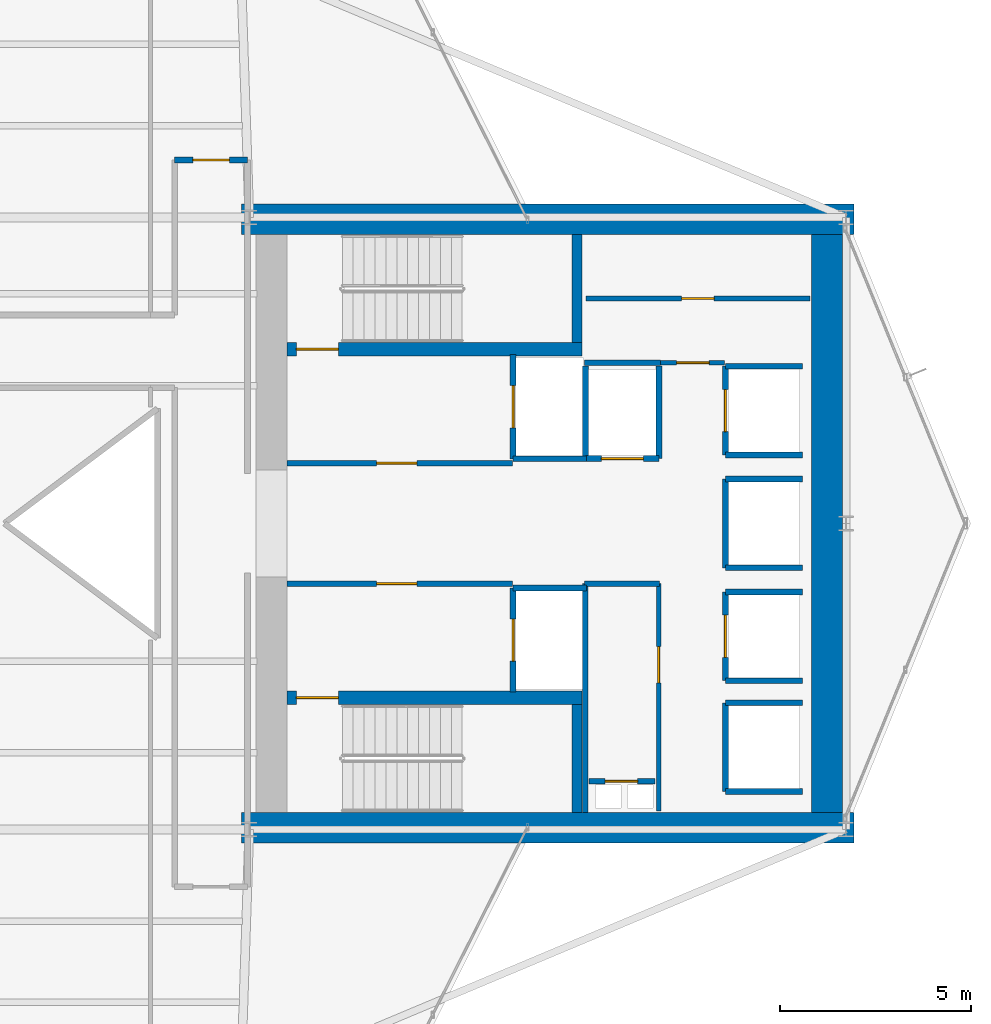
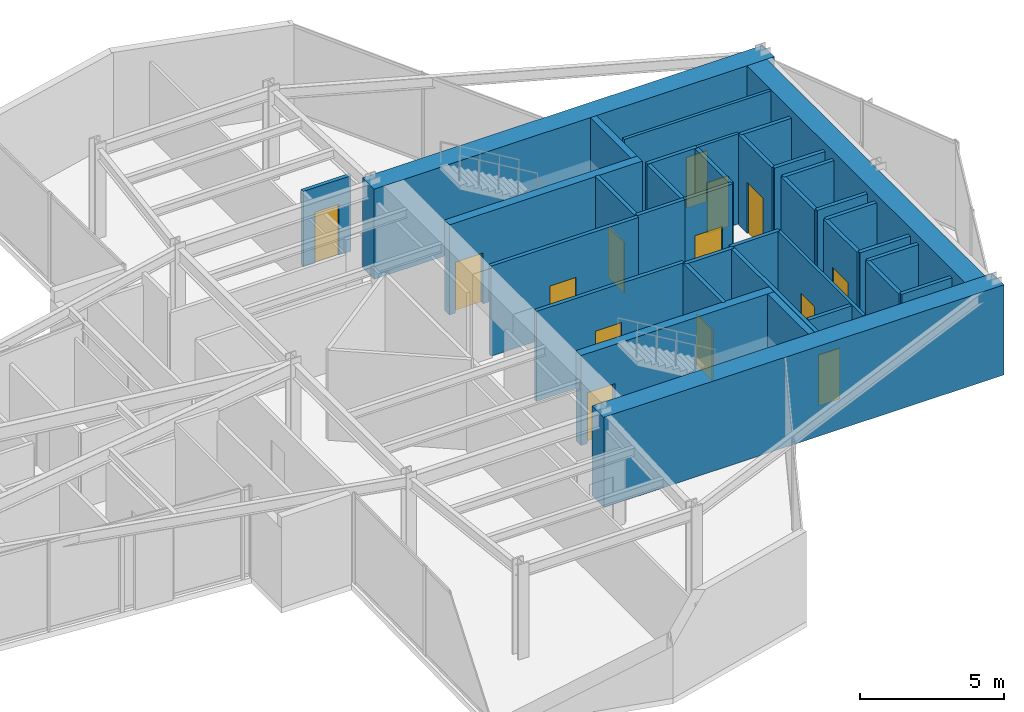
# One storey, part 24 of 26: 36 walls, 14 doors, 14 openings.
"""IFC4 building model written with IfcOpenShell, lengths in metres."""

from ifc_helpers import new_model, si_unit, direction, frame, frame_2d, origin, place, context, subcontext, project, spatial, rectangle, extrude, material, layer, layer_set, type_object, element, fill, save


model = new_model("IFC4")

# Units and contexts
model_context = context("Model", 3, precision=1e-05, world=origin(), true_north=direction((0.0, 1.0)))
body_context = subcontext(model_context, "Body", "Model", "MODEL_VIEW")
ifc_project = project(units=[si_unit("LENGTHUNIT", "METRE"), si_unit("AREAUNIT", "SQUARE_METRE"), si_unit("VOLUMEUNIT", "CUBIC_METRE"), si_unit("PLANEANGLEUNIT", "RADIAN"), si_unit("MASSUNIT", "GRAM", prefix="KILO")], contexts=[model_context])

# Site, building, storey
site_placement = place(None, origin())
site = spatial("IfcSite", under=ifc_project, at=site_placement, CompositionType="ELEMENT")
building_placement = place(site_placement, origin())
building = spatial("IfcBuilding", under=site, at=building_placement, Name="Veymaron Broadcast Tower", CompositionType="ELEMENT")
storey_placement = place(building_placement, frame((0.0, 0.0, 133.050048828125)))
storey = spatial("IfcBuildingStorey", under=building, at=storey_placement, Name="L30", CompositionType="ELEMENT", Elevation=133.050048828125)

# Wall, opening, door
ifc_material_1 = material(Name="Gypsum fireboard and steel stud framing", Category="steel")
ifc_layer_1 = layer(ifc_material_1, 0.14990234375)
ifc_layer_set_1 = layer_set([ifc_layer_1], Name="Gypsum fireboard and steel stud framing")
wall_type_1 = type_object("IfcWallType", Name="WALL-FIRE-150", PredefinedType="PARTITIONING", material=ifc_layer_set_1)
wall_1_placement = place(storey_placement, frame((39.97998046875, 25.574951171875, 0.0), z_axis=(0.0, 0.0, 1.0), x_axis=(1.0, 0.0, 0.0)))
wall_1 = element("IfcWall", 1, at=wall_1_placement, inside=storey, type_object=wall_type_1, Name="L30 partition IW-L30-FFLN-S", PredefinedType="PARTITIONING", context=body_context, shape_type="SweptSolid", body=[
    extrude(rectangle(XDim=5.89990234375, YDim=0.14990234375, at=frame_2d((2.949951171875, 0.0))), origin(), (0.0, 0.0, 1.0), 3.81005859375),
])
opening_1_placement = place(wall_1_placement, frame((2.35009765625, 0.0, 0.0)))
opening_1 = element("IfcOpeningElement", 2, at=opening_1_placement, cuts=wall_1, Name="Opening ID-FL1", PredefinedType="OPENING", context=body_context, shape_type="SweptSolid", body=[
    extrude(rectangle(XDim=1.050048828125, YDim=2.14990234375, at=frame_2d((0.52490234375, 1.074951171875))), frame((0.0, 0.0849609375, 0.0), z_axis=(0.0, -1.0, 0.0), x_axis=(1.0, 0.0, 0.0)), (0.0, 0.0, 1.0), 0.169921875),
])
ifc_material_2 = material(Name="Fire-rated painted hollow steel ASTM A653", Category="steel")
door_type_1 = type_object("IfcDoorType", Name="DOOR-FIRE-1050", OperationType="NOTDEFINED", PredefinedType="DOOR", material=ifc_material_2)
door_1_placement = place(opening_1_placement, origin())
door_1 = element("IfcDoor", 3, at=door_1_placement, inside=storey, type_object=door_type_1, Name="L30 door DR-L30-FFLN", OperationType="SINGLE_SWING_LEFT", OverallHeight=2.14990234375, OverallWidth=1.050048828125, PredefinedType="DOOR", context=body_context, shape_type="SweptSolid", body=[
    extrude(rectangle(XDim=1.050048828125, YDim=2.14990234375, at=frame_2d((0.52490234375, 1.074951171875))), frame((0.0, 0.02490234375, 0.0), z_axis=(0.0, -1.0, 0.0), x_axis=(1.0, 0.0, 0.0)), (0.0, 0.0, 1.0), 0.050048828125),
])
fill(opening_1, door_1)

wall_2_placement = place(storey_placement, frame((39.97998046875, 22.425048828125, 0.0), z_axis=(0.0, 0.0, 1.0), x_axis=(1.0, 0.0, 0.0)))
wall_2 = element("IfcWall", 4, at=wall_2_placement, inside=storey, type_object=wall_type_1, Name="L30 partition IW-L30-FFLS-N", PredefinedType="PARTITIONING", context=body_context, shape_type="SweptSolid", body=[
    extrude(rectangle(XDim=5.89990234375, YDim=0.14990234375, at=frame_2d((2.949951171875, 0.0))), origin(), (0.0, 0.0, 1.0), 3.81005859375),
])
opening_2_placement = place(wall_2_placement, frame((2.35009765625, 0.0, 0.0)))
opening_2 = element("IfcOpeningElement", 5, at=opening_2_placement, cuts=wall_2, Name="Opening ID-FL1", PredefinedType="OPENING", context=body_context, shape_type="SweptSolid", body=[
    extrude(rectangle(XDim=1.050048828125, YDim=2.14990234375, at=frame_2d((0.52490234375, 1.074951171875))), frame((0.0, 0.0849609375, 0.0), z_axis=(0.0, -1.0, 0.0), x_axis=(1.0, 0.0, 0.0)), (0.0, 0.0, 1.0), 0.169921875),
])
door_2_placement = place(opening_2_placement, frame((1.050048828125, 0.0, 0.0), z_axis=(0.0, 0.0, 1.0), x_axis=(-1.0, 0.0, 0.0)))
door_2 = element("IfcDoor", 6, at=door_2_placement, inside=storey, type_object=door_type_1, Name="L30 door DR-L30-FFLS", OperationType="SINGLE_SWING_RIGHT", OverallHeight=2.14990234375, OverallWidth=1.050048828125, PredefinedType="DOOR", context=body_context, shape_type="SweptSolid", body=[
    extrude(rectangle(XDim=1.050048828125, YDim=2.14990234375, at=frame_2d((0.52490234375, 1.074951171875))), frame((0.0, 0.02490234375, 0.0), z_axis=(0.0, -1.0, 0.0), x_axis=(1.0, 0.0, 0.0)), (0.0, 0.0, 1.0), 0.050048828125),
])
fill(opening_2, door_2)

wall_3_placement = place(storey_placement, frame((45.89501953125, 25.68994140625, 0.0), z_axis=(0.0, 0.0, 1.0), x_axis=(0.0, 1.0, 0.0)))
wall_3 = element("IfcWall", 7, at=wall_3_placement, inside=storey, type_object=wall_type_1, Name="L30 partition IW-L30-SHW-FFL-1", PredefinedType="PARTITIONING", context=body_context, shape_type="SweptSolid", body=[
    extrude(rectangle(XDim=2.719970703125, YDim=0.14990234375, at=frame_2d((1.35986328125, 0.0))), origin(), (0.0, 0.0, 1.0), 3.81005859375),
])
opening_3_placement = place(wall_3_placement, frame((0.81005859375, 0.0, 0.0)))
opening_3 = element("IfcOpeningElement", 8, at=opening_3_placement, cuts=wall_3, Name="Opening LD", PredefinedType="OPENING", context=body_context, shape_type="SweptSolid", body=[
    extrude(rectangle(XDim=1.10009765625, YDim=2.14990234375, at=frame_2d((0.550048828125, 1.074951171875))), frame((0.0, 0.0849609375, 0.0), z_axis=(0.0, -1.0, 0.0), x_axis=(1.0, 0.0, 0.0)), (0.0, 0.0, 1.0), 0.169921875),
])
ifc_material_3 = material(Name="Brushed stainless steel AISI 304", Category="steel")
door_type_2 = type_object("IfcDoorType", Name="DOOR-LIFT-1100", OperationType="DOUBLE_DOOR_SLIDING", PredefinedType="DOOR", material=ifc_material_3)
door_3_placement = place(opening_3_placement, frame((1.10009765625, 0.0, 0.0), z_axis=(0.0, 0.0, 1.0), x_axis=(-1.0, 0.0, 0.0)))
door_3 = element("IfcDoor", 9, at=door_3_placement, inside=storey, type_object=door_type_2, Name="L30 door LD-L30-FFL-1", OperationType="DOUBLE_DOOR_SLIDING", OverallHeight=2.14990234375, OverallWidth=1.10009765625, PredefinedType="DOOR", context=body_context, shape_type="SweptSolid", body=[
    extrude(rectangle(XDim=1.10009765625, YDim=2.14990234375, at=frame_2d((0.550048828125, 1.074951171875))), frame((0.0, 0.02490234375, 0.0), z_axis=(0.0, -1.0, 0.0), x_axis=(1.0, 0.0, 0.0)), (0.0, 0.0, 1.0), 0.050048828125),
])
fill(opening_3, door_3)

# Wall
wall_4_placement = place(storey_placement, frame((45.89501953125, 25.68994140625, 0.0), z_axis=(0.0, 0.0, 1.0), x_axis=(1.0, 0.0, 0.0)))
element("IfcWall", 10, at=wall_4_placement, inside=storey, type_object=wall_type_1, Name="L30 partition IW-L30-SHS-FFL-1", PredefinedType="PARTITIONING", context=body_context, shape_type="SweptSolid", body=[
    extrude(rectangle(XDim=1.9150390625, YDim=0.14990234375, at=frame_2d((0.95751953125, 0.0))), origin(), (0.0, 0.0, 1.0), 3.81005859375),
])

# Wall, opening, door
wall_5_placement = place(storey_placement, frame((45.89501953125, 19.590087890625, 0.0), z_axis=(0.0, 0.0, 1.0), x_axis=(0.0, 1.0, 0.0)))
wall_5 = element("IfcWall", 11, at=wall_5_placement, inside=storey, type_object=wall_type_1, Name="L30 partition IW-L30-SHW-FFL-2", PredefinedType="PARTITIONING", context=body_context, shape_type="SweptSolid", body=[
    extrude(rectangle(XDim=2.719970703125, YDim=0.14990234375, at=frame_2d((1.35986328125, 0.0))), origin(), (0.0, 0.0, 1.0), 3.81005859375),
])
opening_4_placement = place(wall_5_placement, frame((0.81005859375, 0.0, 0.0)))
opening_4 = element("IfcOpeningElement", 12, at=opening_4_placement, cuts=wall_5, Name="Opening LD", PredefinedType="OPENING", context=body_context, shape_type="SweptSolid", body=[
    extrude(rectangle(XDim=1.10009765625, YDim=2.14990234375, at=frame_2d((0.550048828125, 1.074951171875))), frame((0.0, 0.0849609375, 0.0), z_axis=(0.0, -1.0, 0.0), x_axis=(1.0, 0.0, 0.0)), (0.0, 0.0, 1.0), 0.169921875),
])
door_4_placement = place(opening_4_placement, frame((1.10009765625, 0.0, 0.0), z_axis=(0.0, 0.0, 1.0), x_axis=(-1.0, 0.0, 0.0)))
door_4 = element("IfcDoor", 13, at=door_4_placement, inside=storey, type_object=door_type_2, Name="L30 door LD-L30-FFL-2", OperationType="DOUBLE_DOOR_SLIDING", OverallHeight=2.14990234375, OverallWidth=1.10009765625, PredefinedType="DOOR", context=body_context, shape_type="SweptSolid", body=[
    extrude(rectangle(XDim=1.10009765625, YDim=2.14990234375, at=frame_2d((0.550048828125, 1.074951171875))), frame((0.0, 0.02490234375, 0.0), z_axis=(0.0, -1.0, 0.0), x_axis=(1.0, 0.0, 0.0)), (0.0, 0.0, 1.0), 0.050048828125),
])
fill(opening_4, door_4)

# Wall
wall_6_placement = place(storey_placement, frame((45.89501953125, 22.31005859375, 0.0), z_axis=(0.0, 0.0, 1.0), x_axis=(1.0, 0.0, 0.0)))
element("IfcWall", 14, at=wall_6_placement, inside=storey, type_object=wall_type_1, Name="L30 partition IW-L30-SHN-FFL-2", PredefinedType="PARTITIONING", context=body_context, shape_type="SweptSolid", body=[
    extrude(rectangle(XDim=1.9150390625, YDim=0.14990234375, at=frame_2d((0.95751953125, 0.0))), origin(), (0.0, 0.0, 1.0), 3.81005859375),
])

# Wall, opening, door
wall_7_placement = place(storey_placement, frame((47.7900390625, 25.695068359375, 0.0), z_axis=(0.0, 0.0, 1.0), x_axis=(1.0, 0.0, 0.0)))
wall_7 = element("IfcWall", 15, at=wall_7_placement, inside=storey, type_object=wall_type_1, Name="L30 partition IW-L30-SHS-SL-1", PredefinedType="PARTITIONING", context=body_context, shape_type="SweptSolid", body=[
    extrude(rectangle(XDim=1.919921875, YDim=0.14990234375, at=frame_2d((0.9599609375, 0.0))), origin(), (0.0, 0.0, 1.0), 3.81005859375),
])
opening_5_placement = place(wall_7_placement, frame((0.409912109375, 0.0, 0.0)))
opening_5 = element("IfcOpeningElement", 16, at=opening_5_placement, cuts=wall_7, Name="Opening LD", PredefinedType="OPENING", context=body_context, shape_type="SweptSolid", body=[
    extrude(rectangle(XDim=1.10009765625, YDim=2.14990234375, at=frame_2d((0.550048828125, 1.074951171875))), frame((0.0, 0.0849609375, 0.0), z_axis=(0.0, -1.0, 0.0), x_axis=(1.0, 0.0, 0.0)), (0.0, 0.0, 1.0), 0.169921875),
])
door_5_placement = place(opening_5_placement, frame((1.10009765625, 0.0, 0.0), z_axis=(0.0, 0.0, 1.0), x_axis=(-1.0, 0.0, 0.0)))
door_5 = element("IfcDoor", 17, at=door_5_placement, inside=storey, type_object=door_type_2, Name="L30 door LD-L30-SL-1", OperationType="DOUBLE_DOOR_SLIDING", OverallHeight=2.14990234375, OverallWidth=1.10009765625, PredefinedType="DOOR", context=body_context, shape_type="SweptSolid", body=[
    extrude(rectangle(XDim=1.10009765625, YDim=2.14990234375, at=frame_2d((0.550048828125, 1.074951171875))), frame((0.0, 0.02490234375, 0.0), z_axis=(0.0, -1.0, 0.0), x_axis=(1.0, 0.0, 0.0)), (0.0, 0.0, 1.0), 0.050048828125),
])
fill(opening_5, door_5)

# Walls
for number, where, z_axis, x_axis, name in (
    (18, (47.7900390625, 25.695068359375, 0.0), (0.0, 0.0, 1.0), (0.0, 1.0, 0.0), "L30 partition IW-L30-SHW-SL-1"),
    (19, (49.7099609375, 25.695068359375, 0.0), (0.0, 0.0, 1.0), (0.0, 1.0, 0.0), "L30 partition IW-L30-SHE-SL-1"),
):
    element("IfcWall", number, at=place(storey_placement, frame(where, z_axis=z_axis, x_axis=x_axis)), inside=storey, type_object=wall_type_1, Name=name, PredefinedType="PARTITIONING", context=body_context, shape_type="SweptSolid", body=[
        extrude(rectangle(XDim=2.4150390625, YDim=0.14990234375, at=frame_2d((1.20751953125, 0.0))), origin(), (0.0, 0.0, 1.0), 3.81005859375),
    ])

# Wall, opening, door
wall_8_placement = place(storey_placement, frame((51.445068359375, 25.7900390625, 0.0), z_axis=(0.0, 0.0, 1.0), x_axis=(0.0, 1.0, 0.0)))
wall_8 = element("IfcWall", 20, at=wall_8_placement, inside=storey, type_object=wall_type_1, Name="L30 partition IW-L30-SHW-PM1", PredefinedType="PARTITIONING", context=body_context, shape_type="SweptSolid", body=[
    extrude(rectangle(XDim=2.320068359375, YDim=0.14990234375, at=frame_2d((1.16015625, 0.0))), origin(), (0.0, 0.0, 1.0), 3.81005859375),
])
opening_6_placement = place(wall_8_placement, frame((0.610107421875, 0.0, 0.0)))
opening_6 = element("IfcOpeningElement", 21, at=opening_6_placement, cuts=wall_8, Name="Opening LD", PredefinedType="OPENING", context=body_context, shape_type="SweptSolid", body=[
    extrude(rectangle(XDim=1.10009765625, YDim=2.14990234375, at=frame_2d((0.550048828125, 1.074951171875))), frame((0.0, 0.0849609375, 0.0), z_axis=(0.0, -1.0, 0.0), x_axis=(1.0, 0.0, 0.0)), (0.0, 0.0, 1.0), 0.169921875),
])
door_6_placement = place(opening_6_placement, frame((1.10009765625, 0.0, 0.0), z_axis=(0.0, 0.0, 1.0), x_axis=(-1.0, 0.0, 0.0)))
door_6 = element("IfcDoor", 22, at=door_6_placement, inside=storey, type_object=door_type_2, Name="L30 door LD-L30-PM1", OperationType="DOUBLE_DOOR_SLIDING", OverallHeight=2.14990234375, OverallWidth=1.10009765625, PredefinedType="DOOR", context=body_context, shape_type="SweptSolid", body=[
    extrude(rectangle(XDim=1.10009765625, YDim=2.14990234375, at=frame_2d((0.550048828125, 1.074951171875))), frame((0.0, 0.02490234375, 0.0), z_axis=(0.0, -1.0, 0.0), x_axis=(1.0, 0.0, 0.0)), (0.0, 0.0, 1.0), 0.050048828125),
])
fill(opening_6, door_6)

# Walls
for number, where, z_axis, x_axis, name in (
    (23, (51.445068359375, 25.7900390625, 0.0), (0.0, 0.0, 1.0), (1.0, 0.0, 0.0), "L30 partition IW-L30-SHS-PM1"),
    (24, (51.445068359375, 28.110107421875, 0.0), (0.0, 0.0, 1.0), (1.0, 0.0, 0.0), "L30 partition IW-L30-SHN-PM1"),
):
    element("IfcWall", number, at=place(storey_placement, frame(where, z_axis=z_axis, x_axis=x_axis)), inside=storey, type_object=wall_type_1, Name=name, PredefinedType="PARTITIONING", context=body_context, shape_type="SweptSolid", body=[
        extrude(rectangle(XDim=2.014892578125, YDim=0.14990234375, at=frame_2d((1.00732421875, 0.0))), origin(), (0.0, 0.0, 1.0), 3.81005859375),
    ])

# Wall, opening, door
wall_9_placement = place(storey_placement, frame((51.445068359375, 19.889892578125, 0.0), z_axis=(0.0, 0.0, 1.0), x_axis=(0.0, 1.0, 0.0)))
wall_9 = element("IfcWall", 25, at=wall_9_placement, inside=storey, type_object=wall_type_1, Name="L30 partition IW-L30-SHW-PM2", PredefinedType="PARTITIONING", context=body_context, shape_type="SweptSolid", body=[
    extrude(rectangle(XDim=2.320068359375, YDim=0.14990234375, at=frame_2d((1.16015625, 0.0))), origin(), (0.0, 0.0, 1.0), 3.81005859375),
])
opening_7_placement = place(wall_9_placement, frame((0.610107421875, 0.0, 0.0)))
opening_7 = element("IfcOpeningElement", 26, at=opening_7_placement, cuts=wall_9, Name="Opening LD", PredefinedType="OPENING", context=body_context, shape_type="SweptSolid", body=[
    extrude(rectangle(XDim=1.10009765625, YDim=2.14990234375, at=frame_2d((0.550048828125, 1.074951171875))), frame((0.0, 0.0849609375, 0.0), z_axis=(0.0, -1.0, 0.0), x_axis=(1.0, 0.0, 0.0)), (0.0, 0.0, 1.0), 0.169921875),
])
door_7_placement = place(opening_7_placement, frame((1.10009765625, 0.0, 0.0), z_axis=(0.0, 0.0, 1.0), x_axis=(-1.0, 0.0, 0.0)))
door_7 = element("IfcDoor", 27, at=door_7_placement, inside=storey, type_object=door_type_2, Name="L30 door LD-L30-PM2", OperationType="DOUBLE_DOOR_SLIDING", OverallHeight=2.14990234375, OverallWidth=1.10009765625, PredefinedType="DOOR", context=body_context, shape_type="SweptSolid", body=[
    extrude(rectangle(XDim=1.10009765625, YDim=2.14990234375, at=frame_2d((0.550048828125, 1.074951171875))), frame((0.0, 0.02490234375, 0.0), z_axis=(0.0, -1.0, 0.0), x_axis=(1.0, 0.0, 0.0)), (0.0, 0.0, 1.0), 0.050048828125),
])
fill(opening_7, door_7)

# Walls
for number, where, z_axis, x_axis, name in (
    (28, (51.445068359375, 19.889892578125, 0.0), (0.0, 0.0, 1.0), (1.0, 0.0, 0.0), "L30 partition IW-L30-SHS-PM2"),
    (29, (51.445068359375, 22.2099609375, 0.0), (0.0, 0.0, 1.0), (1.0, 0.0, 0.0), "L30 partition IW-L30-SHN-PM2"),
):
    element("IfcWall", number, at=place(storey_placement, frame(where, z_axis=z_axis, x_axis=x_axis)), inside=storey, type_object=wall_type_1, Name=name, PredefinedType="PARTITIONING", context=body_context, shape_type="SweptSolid", body=[
        extrude(rectangle(XDim=2.014892578125, YDim=0.14990234375, at=frame_2d((1.00732421875, 0.0))), origin(), (0.0, 0.0, 1.0), 3.81005859375),
    ])
wall_10_placement = place(storey_placement, frame((51.445068359375, 22.840087890625, 0.0), z_axis=(0.0, 0.0, 1.0), x_axis=(0.0, 1.0, 0.0)))
element("IfcWall", 30, at=wall_10_placement, inside=storey, type_object=wall_type_1, Name="L30 partition IW-L30-SHW-PM3", PredefinedType="PARTITIONING", context=body_context, shape_type="SweptSolid", body=[
    extrude(rectangle(XDim=2.31982421875, YDim=0.14990234375, at=frame_2d((1.159912109375, 0.0))), origin(), (0.0, 0.0, 1.0), 3.81005859375),
])
for number, where, z_axis, x_axis, name in (
    (31, (51.445068359375, 22.840087890625, 0.0), (0.0, 0.0, 1.0), (1.0, 0.0, 0.0), "L30 partition IW-L30-SHS-PM3"),
    (32, (51.445068359375, 25.159912109375, 0.0), (0.0, 0.0, 1.0), (1.0, 0.0, 0.0), "L30 partition IW-L30-SHN-PM3"),
):
    element("IfcWall", number, at=place(storey_placement, frame(where, z_axis=z_axis, x_axis=x_axis)), inside=storey, type_object=wall_type_1, Name=name, PredefinedType="PARTITIONING", context=body_context, shape_type="SweptSolid", body=[
        extrude(rectangle(XDim=2.014892578125, YDim=0.14990234375, at=frame_2d((1.00732421875, 0.0))), origin(), (0.0, 0.0, 1.0), 3.81005859375),
    ])
wall_11_placement = place(storey_placement, frame((51.445068359375, 16.989990234375, 0.0), z_axis=(0.0, 0.0, 1.0), x_axis=(0.0, 1.0, 0.0)))
element("IfcWall", 33, at=wall_11_placement, inside=storey, type_object=wall_type_1, Name="L30 partition IW-L30-SHW-PH1", PredefinedType="PARTITIONING", context=body_context, shape_type="SweptSolid", body=[
    extrude(rectangle(XDim=2.320068359375, YDim=0.14990234375, at=frame_2d((1.16015625, 0.0))), origin(), (0.0, 0.0, 1.0), 3.81005859375),
])
for number, where, z_axis, x_axis, name in (
    (34, (51.445068359375, 16.989990234375, 0.0), (0.0, 0.0, 1.0), (1.0, 0.0, 0.0), "L30 partition IW-L30-SHS-PH1"),
    (35, (51.445068359375, 19.31005859375, 0.0), (0.0, 0.0, 1.0), (1.0, 0.0, 0.0), "L30 partition IW-L30-SHN-PH1"),
):
    element("IfcWall", number, at=place(storey_placement, frame(where, z_axis=z_axis, x_axis=x_axis)), inside=storey, type_object=wall_type_1, Name=name, PredefinedType="PARTITIONING", context=body_context, shape_type="SweptSolid", body=[
        extrude(rectangle(XDim=2.014892578125, YDim=0.14990234375, at=frame_2d((1.00732421875, 0.0))), origin(), (0.0, 0.0, 1.0), 3.81005859375),
    ])

# Wall, opening, door
wall_12_placement = place(storey_placement, frame((47.8798828125, 17.260009765625, 0.0), z_axis=(0.0, 0.0, 1.0), x_axis=(1.0, 0.0, 0.0)))
wall_12 = element("IfcWall", 36, at=wall_12_placement, inside=storey, type_object=wall_type_1, Name="L30 partition IW-L30-RIS-N", PredefinedType="PARTITIONING", context=body_context, shape_type="SweptSolid", body=[
    extrude(rectangle(XDim=1.72021484375, YDim=0.14990234375, at=frame_2d((0.860107421875, 0.0))), origin(), (0.0, 0.0, 1.0), 3.81005859375),
])
opening_8_placement = place(wall_12_placement, frame((0.419921875, 0.0, 0.0)))
opening_8 = element("IfcOpeningElement", 37, at=opening_8_placement, cuts=wall_12, Name="Opening ID-RS1", PredefinedType="OPENING", context=body_context, shape_type="SweptSolid", body=[
    extrude(rectangle(XDim=0.85009765625, YDim=2.14990234375, at=frame_2d((0.425048828125, 1.074951171875))), frame((0.0, 0.0849609375, 0.0), z_axis=(0.0, -1.0, 0.0), x_axis=(1.0, 0.0, 0.0)), (0.0, 0.0, 1.0), 0.169921875),
])
ifc_material_4 = material(Name="Fire-rated powder-coated steel riser leaf", Category="steel")
door_type_3 = type_object("IfcDoorType", Name="DOOR-RIS-850", OperationType="NOTDEFINED", PredefinedType="TRAPDOOR", material=ifc_material_4)
door_8_placement = place(opening_8_placement, origin())
door_8 = element("IfcDoor", 38, at=door_8_placement, inside=storey, type_object=door_type_3, Name="L30 door DR-L30-RIS", OperationType="SINGLE_SWING_LEFT", OverallHeight=2.14990234375, OverallWidth=0.85009765625, PredefinedType="TRAPDOOR", context=body_context, shape_type="SweptSolid", body=[
    extrude(rectangle(XDim=0.85009765625, YDim=2.14990234375, at=frame_2d((0.425048828125, 1.074951171875))), frame((0.0, 0.02490234375, 0.0), z_axis=(0.0, -1.0, 0.0), x_axis=(1.0, 0.0, 0.0)), (0.0, 0.0, 1.0), 0.050048828125),
])
fill(opening_8, door_8)

# Walls
wall_13_placement = place(storey_placement, frame((47.760009765625, 22.425048828125, 0.0), z_axis=(0.0, 0.0, 1.0), x_axis=(1.0, 0.0, 0.0)))
element("IfcWall", 39, at=wall_13_placement, inside=storey, type_object=wall_type_1, Name="L30 partition IW-L30-SM-N", PredefinedType="PARTITIONING", context=body_context, shape_type="SweptSolid", body=[
    extrude(rectangle(XDim=1.9599609375, YDim=0.14990234375, at=frame_2d((0.97998046875, 0.0))), origin(), (0.0, 0.0, 1.0), 3.81005859375),
])
wall_14_placement = place(storey_placement, frame((47.780029296875, 16.449951171875, 0.0), z_axis=(0.0, 0.0, 1.0), x_axis=(0.0, 1.0, 0.0)))
element("IfcWall", 40, at=wall_14_placement, inside=storey, type_object=wall_type_1, Name="L30 partition IW-L30-SM-W", PredefinedType="PARTITIONING", context=body_context, shape_type="SweptSolid", body=[
    extrude(rectangle(XDim=5.97509765625, YDim=0.14990234375, at=frame_2d((2.987548828125, 0.0))), origin(), (0.0, 0.0, 1.0), 3.81005859375),
])
wall_15_placement = place(storey_placement, frame((47.760009765625, 28.199951171875, 0.0), z_axis=(0.0, 0.0, 1.0), x_axis=(1.0, 0.0, 0.0)))
element("IfcWall", 41, at=wall_15_placement, inside=storey, type_object=wall_type_1, Name="L30 partition IW-L30-F1-SW", PredefinedType="PARTITIONING", context=body_context, shape_type="SweptSolid", body=[
    extrude(rectangle(XDim=1.989990234375, YDim=0.14990234375, at=frame_2d((0.9951171875, 0.0))), origin(), (0.0, 0.0, 1.0), 3.81005859375),
])

# Wall, opening, door
wall_16_placement = place(storey_placement, frame((37.050048828125, 33.5, 0.0), z_axis=(0.0, 0.0, 1.0), x_axis=(1.0, 0.0, 0.0)))
wall_16 = element("IfcWall", 42, at=wall_16_placement, inside=storey, type_object=wall_type_1, Name="L30 partition IW-L30-P30", PredefinedType="PARTITIONING", context=body_context, shape_type="SweptSolid", body=[
    extrude(rectangle(XDim=1.89990234375, YDim=0.14990234375, at=frame_2d((0.949951171875, 0.0))), origin(), (0.0, 0.0, 1.0), 3.18994140625),
])
opening_9_placement = place(wall_16_placement, frame((0.47509765625, 0.0, 0.0)))
opening_9 = element("IfcOpeningElement", 43, at=opening_9_placement, cuts=wall_16, Name="Opening ID-RM1", PredefinedType="OPENING", context=body_context, shape_type="SweptSolid", body=[
    extrude(rectangle(XDim=0.949951171875, YDim=2.14990234375, at=frame_2d((0.47509765625, 1.074951171875))), frame((0.0, 0.0849609375, 0.0), z_axis=(0.0, -1.0, 0.0), x_axis=(1.0, 0.0, 0.0)), (0.0, 0.0, 1.0), 0.169921875),
])
ifc_material_5 = material(Name="Acoustic solid-core European oak veneer timber", Category="wood")
door_type_4 = type_object("IfcDoorType", Name="DOOR-INT-950", OperationType="NOTDEFINED", PredefinedType="DOOR", material=ifc_material_5)
door_9_placement = place(opening_9_placement, origin())
door_9 = element("IfcDoor", 44, at=door_9_placement, inside=storey, type_object=door_type_4, Name="L30 door DR-L30-P30", OperationType="SINGLE_SWING_LEFT", OverallHeight=2.14990234375, OverallWidth=0.949951171875, PredefinedType="DOOR", context=body_context, shape_type="SweptSolid", body=[
    extrude(rectangle(XDim=0.949951171875, YDim=2.14990234375, at=frame_2d((0.47509765625, 1.074951171875))), frame((0.0, 0.02490234375, 0.0), z_axis=(0.0, -1.0, 0.0), x_axis=(1.0, 0.0, 0.0)), (0.0, 0.0, 1.0), 0.050048828125),
])
fill(opening_9, door_9)

ifc_material_6 = material(Name="Acoustic gypsum board and galvanized stud", Category="gypsum")
ifc_layer_2 = layer(ifc_material_6, 0.1201171875)
ifc_layer_set_2 = layer_set([ifc_layer_2], Name="Acoustic gypsum board and galvanized stud")
wall_type_2 = type_object("IfcWallType", Name="WALL-PART-120", PredefinedType="PARTITIONING", material=ifc_layer_set_2)
wall_17_placement = place(storey_placement, frame((49.699951171875, 16.47998046875, 0.0), z_axis=(0.0, 0.0, 1.0), x_axis=(0.0, 1.0, 0.0)))
wall_17 = element("IfcWall", 45, at=wall_17_placement, inside=storey, type_object=wall_type_2, Name="L30 partition IW-L30-SM-E", PredefinedType="PARTITIONING", context=body_context, shape_type="SweptSolid", body=[
    extrude(rectangle(XDim=5.945068359375, YDim=0.1201171875, at=frame_2d((2.97265625, 0.0))), origin(), (0.0, 0.0, 1.0), 3.81005859375),
])
opening_10_placement = place(wall_17_placement, frame((3.35009765625, 0.0, 0.0)))
opening_10 = element("IfcOpeningElement", 46, at=opening_10_placement, cuts=wall_17, Name="Opening ID-RM1", PredefinedType="OPENING", context=body_context, shape_type="SweptSolid", body=[
    extrude(rectangle(XDim=0.949951171875, YDim=2.14990234375, at=frame_2d((0.47509765625, 1.074951171875))), frame((0.0, 0.070068359375, 0.0), z_axis=(0.0, -1.0, 0.0), x_axis=(1.0, 0.0, 0.0)), (0.0, 0.0, 1.0), 0.14013671875),
])
door_10_placement = place(opening_10_placement, frame((0.949951171875, 0.0, 0.0), z_axis=(0.0, 0.0, 1.0), x_axis=(-1.0, 0.0, 0.0)))
door_10 = element("IfcDoor", 47, at=door_10_placement, inside=storey, type_object=door_type_4, Name="L30 door DR-L30-AWC", OperationType="SINGLE_SWING_LEFT", OverallHeight=2.14990234375, OverallWidth=0.949951171875, PredefinedType="DOOR", context=body_context, shape_type="SweptSolid", body=[
    extrude(rectangle(XDim=0.949951171875, YDim=2.14990234375, at=frame_2d((0.47509765625, 1.074951171875))), frame((0.0, 0.02490234375, 0.0), z_axis=(0.0, -1.0, 0.0), x_axis=(1.0, 0.0, 0.0)), (0.0, 0.0, 1.0), 0.050048828125),
])
fill(opening_10, door_10)

wall_18_placement = place(storey_placement, frame((49.75, 28.199951171875, 0.0), z_axis=(0.0, 0.0, 1.0), x_axis=(1.0, 0.0, 0.0)))
wall_18 = element("IfcWall", 48, at=wall_18_placement, inside=storey, type_object=wall_type_2, Name="L30 partition IW-L30-F1-S", PredefinedType="PARTITIONING", context=body_context, shape_type="SweptSolid", body=[
    extrude(rectangle(XDim=1.669921875, YDim=0.1201171875, at=frame_2d((0.8349609375, 0.0))), origin(), (0.0, 0.0, 1.0), 3.81005859375),
])
opening_11_placement = place(wall_18_placement, frame((0.419921875, 0.0, 0.0)))
opening_11 = element("IfcOpeningElement", 49, at=opening_11_placement, cuts=wall_18, Name="Opening ID-WC1", PredefinedType="OPENING", context=body_context, shape_type="SweptSolid", body=[
    extrude(rectangle(XDim=0.85009765625, YDim=2.14990234375, at=frame_2d((0.425048828125, 1.074951171875))), frame((0.0, 0.070068359375, 0.0), z_axis=(0.0, -1.0, 0.0), x_axis=(1.0, 0.0, 0.0)), (0.0, 0.0, 1.0), 0.14013671875),
])
ifc_material_7 = material(Name="Moisture-resistant high-pressure laminate timber", Category="wood")
door_type_5 = type_object("IfcDoorType", Name="DOOR-INT-850", OperationType="NOTDEFINED", PredefinedType="DOOR", material=ifc_material_7)
door_11_placement = place(opening_11_placement, origin())
door_11 = element("IfcDoor", 50, at=door_11_placement, inside=storey, type_object=door_type_5, Name="L30 door DR-L30-F1A", OperationType="SINGLE_SWING_LEFT", OverallHeight=2.14990234375, OverallWidth=0.85009765625, PredefinedType="DOOR", context=body_context, shape_type="SweptSolid", body=[
    extrude(rectangle(XDim=0.85009765625, YDim=2.14990234375, at=frame_2d((0.425048828125, 1.074951171875))), frame((0.0, 0.02490234375, 0.0), z_axis=(0.0, -1.0, 0.0), x_axis=(1.0, 0.0, 0.0)), (0.0, 0.0, 1.0), 0.050048828125),
])
fill(opening_11, door_11)

wall_19_placement = place(storey_placement, frame((47.800048828125, 29.8798828125, 0.0), z_axis=(0.0, 0.0, 1.0), x_axis=(1.0, 0.0, 0.0)))
wall_19 = element("IfcWall", 51, at=wall_19_placement, inside=storey, type_object=wall_type_2, Name="L30 partition IW-L30-F1-MY", PredefinedType="PARTITIONING", context=body_context, shape_type="SweptSolid", body=[
    extrude(rectangle(XDim=5.85986328125, YDim=0.1201171875, at=frame_2d((2.929931640625, 0.0))), origin(), (0.0, 0.0, 1.0), 3.81005859375),
])
opening_12_placement = place(wall_19_placement, frame((2.5, 0.0, 0.0)))
opening_12 = element("IfcOpeningElement", 52, at=opening_12_placement, cuts=wall_19, Name="Opening ID-WC1", PredefinedType="OPENING", context=body_context, shape_type="SweptSolid", body=[
    extrude(rectangle(XDim=0.85009765625, YDim=2.14990234375, at=frame_2d((0.425048828125, 1.074951171875))), frame((0.0, 0.070068359375, 0.0), z_axis=(0.0, -1.0, 0.0), x_axis=(1.0, 0.0, 0.0)), (0.0, 0.0, 1.0), 0.14013671875),
])
door_12_placement = place(opening_12_placement, origin())
door_12 = element("IfcDoor", 53, at=door_12_placement, inside=storey, type_object=door_type_5, Name="L30 door DR-L30-F1B", OperationType="SINGLE_SWING_RIGHT", OverallHeight=2.14990234375, OverallWidth=0.85009765625, PredefinedType="DOOR", context=body_context, shape_type="SweptSolid", body=[
    extrude(rectangle(XDim=0.85009765625, YDim=2.14990234375, at=frame_2d((0.425048828125, 1.074951171875))), frame((0.0, 0.02490234375, 0.0), z_axis=(0.0, -1.0, 0.0), x_axis=(1.0, 0.0, 0.0)), (0.0, 0.0, 1.0), 0.050048828125),
])
fill(opening_12, door_12)

# Walls
ifc_material_8 = material(Name="Concrete C50/60", Category="concrete")
ifc_layer_3 = layer(ifc_material_8, 0.25)
ifc_layer_set_3 = layer_set([ifc_layer_3], Name="Concrete C50/60")
wall_type_3 = type_object("IfcWallType", Name="WALL-SHEAR-250", PredefinedType="SHEAR", material=ifc_layer_set_3)
for number, where, z_axis, x_axis, name in (
    (54, (47.56494140625, 28.72998046875, 0.0), (0.0, 0.0, 1.0), (0.0, 1.0, 0.0), "L30 Core Wall north stair east shear"),
    (55, (47.56494140625, 16.449951171875, 0.0), (0.0, 0.0, 1.0), (0.0, 1.0, 0.0), "L30 Core Wall south stair east shear"),
):
    element("IfcWall", number, at=place(storey_placement, frame(where, z_axis=z_axis, x_axis=x_axis)), inside=storey, type_object=wall_type_3, Name=name, PredefinedType="SHEAR", context=body_context, shape_type="SweptSolid", body=[
        extrude(rectangle(XDim=2.820068359375, YDim=0.25, at=frame_2d((1.41015625, 0.0))), origin(), (0.0, 0.0, 1.0), 3.81005859375),
    ])

# Wall, opening, door
ifc_layer_4 = layer(ifc_material_8, 0.35009765625)
ifc_layer_set_4 = layer_set([ifc_layer_4], Name="Concrete C50/60")
wall_type_4 = type_object("IfcWallType", Name="WALL-SHEAR-350", PredefinedType="SHEAR", material=ifc_layer_set_4)
wall_20_placement = place(storey_placement, frame((39.97998046875, 28.554931640625, 0.0), z_axis=(0.0, 0.0, 1.0), x_axis=(1.0, 0.0, 0.0)))
wall_20 = element("IfcWall", 56, at=wall_20_placement, inside=storey, type_object=wall_type_4, Name="L30 Core Wall north stair spine", PredefinedType="SHEAR", context=body_context, shape_type="SweptSolid", body=[
    extrude(rectangle(XDim=7.7099609375, YDim=0.35009765625, at=frame_2d((3.85498046875, 0.0))), origin(), (0.0, 0.0, 1.0), 3.81005859375),
])
opening_13_placement = place(wall_20_placement, frame((0.25, 0.0, 0.0)))
opening_13 = element("IfcOpeningElement", 57, at=opening_13_placement, cuts=wall_20, Name="Opening ID-ST1", PredefinedType="OPENING", context=body_context, shape_type="SweptSolid", body=[
    extrude(rectangle(XDim=1.10009765625, YDim=2.14990234375, at=frame_2d((0.550048828125, 1.074951171875))), frame((0.0, 0.18505859375, 0.0), z_axis=(0.0, -1.0, 0.0), x_axis=(1.0, 0.0, 0.0)), (0.0, 0.0, 1.0), 0.3701171875),
])
door_type_6 = type_object("IfcDoorType", Name="DOOR-STAIR-1100", OperationType="NOTDEFINED", PredefinedType="DOOR", material=ifc_material_2)
door_13_placement = place(opening_13_placement, origin())
door_13 = element("IfcDoor", 58, at=door_13_placement, inside=storey, type_object=door_type_6, Name="L30 exit stair ST1 fire door", OperationType="SINGLE_SWING_LEFT", OverallHeight=2.14990234375, OverallWidth=1.10009765625, PredefinedType="DOOR", context=body_context, shape_type="SweptSolid", body=[
    extrude(rectangle(XDim=1.10009765625, YDim=2.14990234375, at=frame_2d((0.550048828125, 1.074951171875))), frame((0.0, 0.02490234375, 0.0), z_axis=(0.0, -1.0, 0.0), x_axis=(1.0, 0.0, 0.0)), (0.0, 0.0, 1.0), 0.050048828125),
])
fill(opening_13, door_13)

wall_21_placement = place(storey_placement, frame((39.97998046875, 19.445068359375, 0.0), z_axis=(0.0, 0.0, 1.0), x_axis=(1.0, 0.0, 0.0)))
wall_21 = element("IfcWall", 59, at=wall_21_placement, inside=storey, type_object=wall_type_4, Name="L30 Core Wall south stair spine", PredefinedType="SHEAR", context=body_context, shape_type="SweptSolid", body=[
    extrude(rectangle(XDim=7.7099609375, YDim=0.35009765625, at=frame_2d((3.85498046875, 0.0))), origin(), (0.0, 0.0, 1.0), 3.81005859375),
])
opening_14_placement = place(wall_21_placement, frame((0.25, 0.0, 0.0)))
opening_14 = element("IfcOpeningElement", 60, at=opening_14_placement, cuts=wall_21, Name="Opening ID-ST1", PredefinedType="OPENING", context=body_context, shape_type="SweptSolid", body=[
    extrude(rectangle(XDim=1.10009765625, YDim=2.14990234375, at=frame_2d((0.550048828125, 1.074951171875))), frame((0.0, 0.18505859375, 0.0), z_axis=(0.0, -1.0, 0.0), x_axis=(1.0, 0.0, 0.0)), (0.0, 0.0, 1.0), 0.3701171875),
])
door_14_placement = place(opening_14_placement, frame((1.10009765625, 0.0, 0.0), z_axis=(0.0, 0.0, 1.0), x_axis=(-1.0, 0.0, 0.0)))
door_14 = element("IfcDoor", 61, at=door_14_placement, inside=storey, type_object=door_type_6, Name="L30 exit stair ST2 fire door", OperationType="SINGLE_SWING_RIGHT", OverallHeight=2.14990234375, OverallWidth=1.10009765625, PredefinedType="DOOR", context=body_context, shape_type="SweptSolid", body=[
    extrude(rectangle(XDim=1.10009765625, YDim=2.14990234375, at=frame_2d((0.550048828125, 1.074951171875))), frame((0.0, 0.02490234375, 0.0), z_axis=(0.0, -1.0, 0.0), x_axis=(1.0, 0.0, 0.0)), (0.0, 0.0, 1.0), 0.050048828125),
])
fill(opening_14, door_14)

# Walls
ifc_material_9 = material(Name="Concrete C60/75", Category="concrete")
ifc_layer_5 = layer(ifc_material_9, 0.800048828125)
ifc_layer_set_5 = layer_set([ifc_layer_5], Name="Concrete C60/75")
wall_type_5 = type_object("IfcWallType", Name="WALL-SHEAR-800", PredefinedType="SHEAR", material=ifc_layer_set_5)
for number, where, z_axis, x_axis, name in (
    (62, (38.800048828125, 31.949951171875, 0.0), (0.0, 0.0, 1.0), (1.0, 0.0, 0.0), "L30 Core Wall north shear"),
    (63, (38.800048828125, 16.050048828125, 0.0), (0.0, 0.0, 1.0), (1.0, 0.0, 0.0), "L30 Core Wall south shear"),
):
    element("IfcWall", number, at=place(storey_placement, frame(where, z_axis=z_axis, x_axis=x_axis)), inside=storey, type_object=wall_type_5, Name=name, PredefinedType="SHEAR", context=body_context, shape_type="SweptSolid", body=[
        extrude(rectangle(XDim=16.0, YDim=0.800048828125, at=frame_2d((8.0, 0.0))), origin(), (0.0, 0.0, 1.0), 3.81005859375),
    ])
wall_22_placement = place(storey_placement, frame((54.10009765625, 16.449951171875, 0.0), z_axis=(0.0, 0.0, 1.0), x_axis=(0.0, 1.0, 0.0)))
element("IfcWall", 64, at=wall_22_placement, inside=storey, type_object=wall_type_5, Name="L30 Core Wall east shear", PredefinedType="SHEAR", context=body_context, shape_type="SweptSolid", body=[
    extrude(rectangle(XDim=15.10009765625, YDim=0.800048828125, at=frame_2d((7.550048828125, 0.0))), origin(), (0.0, 0.0, 1.0), 3.81005859375),
])

save(model, "model.ifc")
